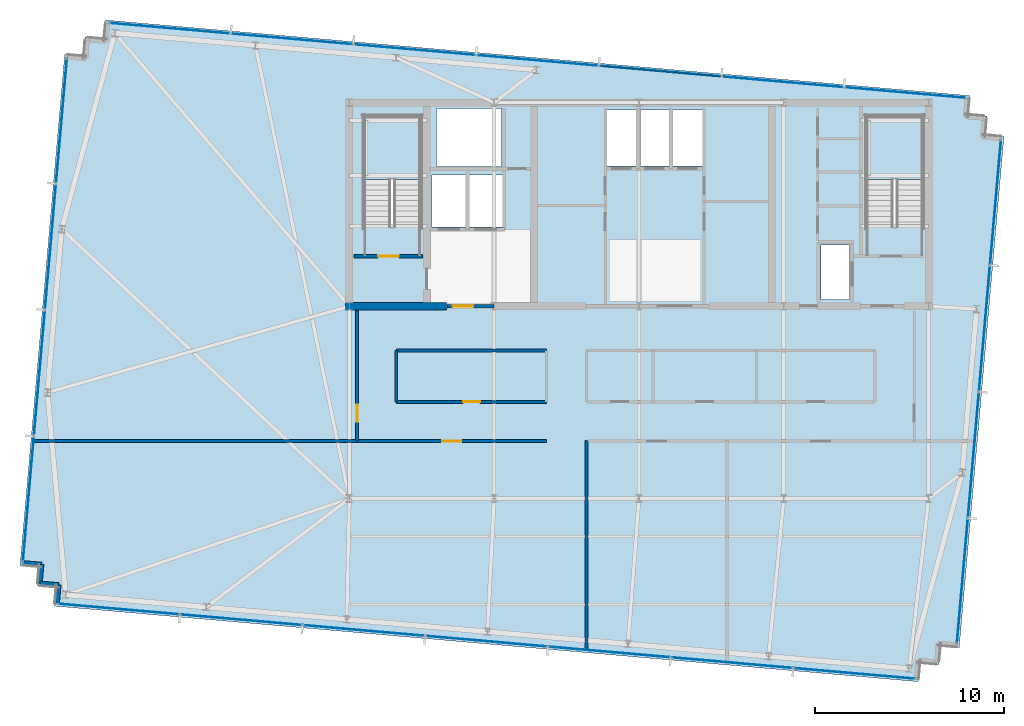
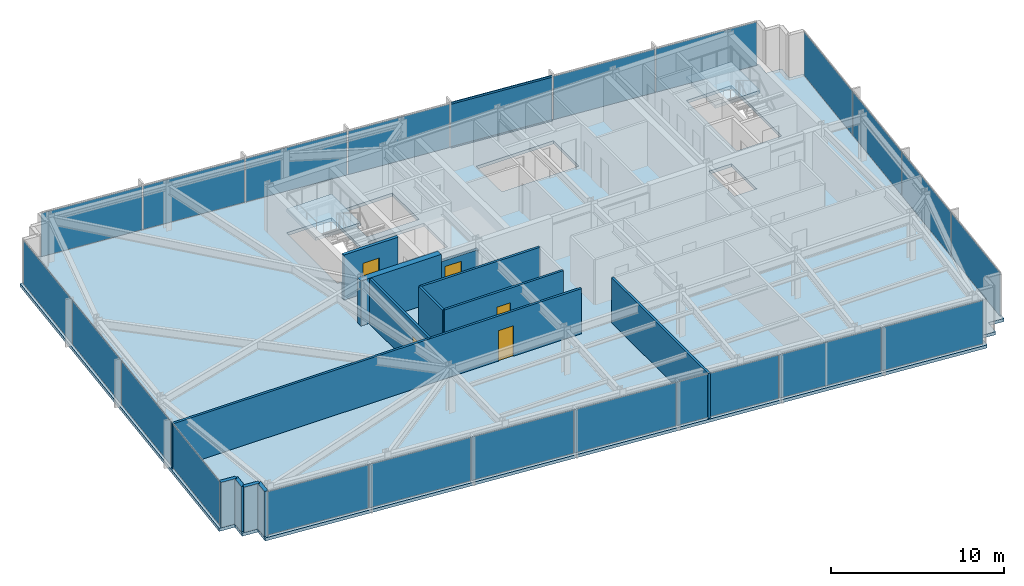
# One storey, part 26 of 32: 22 plates, 13 walls, 5 doors, 3 slabs, 2 members, 5 openings, 6 elements without a shape of their own.
"""IFC4 building model written with IfcOpenShell, lengths in metres."""

from ifc_helpers import new_model, si_unit, direction, frame, frame_2d, origin, origin_2d, place, context, subcontext, project, spatial, polyline, rectangle, hollow_rectangle, outline, extrude, material, layer, layer_set, material_profile, profile_set, type_object, element, fill, aggregate, save


model = new_model("IFC4")

# Units and contexts
model_context = context("Model", 3, precision=1e-05, world=origin(), true_north=direction((0.0, 1.0)))
body_context = subcontext(model_context, "Body", "Model", "MODEL_VIEW")
ifc_project = project(units=[si_unit("LENGTHUNIT", "METRE"), si_unit("AREAUNIT", "SQUARE_METRE"), si_unit("VOLUMEUNIT", "CUBIC_METRE"), si_unit("PLANEANGLEUNIT", "RADIAN"), si_unit("MASSUNIT", "GRAM", prefix="KILO")], contexts=[model_context])

# Site, building, storey
site_placement = place(None, origin())
site = spatial("IfcSite", under=ifc_project, at=site_placement, CompositionType="ELEMENT")
building_placement = place(site_placement, origin())
building = spatial("IfcBuilding", under=site, at=building_placement, Name="Yelkora Congress Tower", CompositionType="ELEMENT")
storey_placement = place(building_placement, frame((0.0, 0.0, 265.89990234375)))
storey = spatial("IfcBuildingStorey", under=building, at=storey_placement, Name="L74", CompositionType="ELEMENT", Elevation=265.89990234375)

# Curtain wall, members
ifc_material_1 = material(Name="Anodised aluminium and insulated glass", Category="aluminium")
curtain_wall_type = type_object("IfcCurtainWallType", Name="CW-SYS-B5", PredefinedType="NOTDEFINED", material=ifc_material_1)
curtain_wall_1_placement = place(storey_placement, origin())
curtain_wall_1 = element("IfcCurtainWall", 1, at=curtain_wall_1_placement, inside=storey, type_object=curtain_wall_type, Name="L74 Unitised Curtain Wall 10", PredefinedType="NOTDEFINED")
ifc_material_2 = material(Name="Anodised aluminium 6063-T6", Category="aluminium")
ifc_material_profile = material_profile(ifc_material_2, hollow_rectangle(XDim=0.06005859375, YDim=0.1298828125, WallThickness=0.00390625, at=origin_2d()), Name="ALU 60x130x4")
ifc_profile_set = profile_set([ifc_material_profile], Name="Anodised aluminium 6063-T6")
member_type = type_object("IfcMemberType", Name="MEM-TR-B5", PredefinedType="USERDEFINED", material=ifc_profile_set)
member_1_placement = place(storey_placement, frame((36.298583984375, 48.14794921875, 0.030029296875), z_axis=(0.996192979814, -0.08717538052, 0.0), x_axis=(0.08717538052, 0.996192979814, 0.0)))
member_1 = element("IfcMember", 2, at=member_1_placement, type_object=member_type, Name="CW-B5 transom 5.1", ObjectType="TRANSOM", PredefinedType="USERDEFINED", context=body_context, shape_type="SweptSolid", body=[
    extrude(hollow_rectangle(XDim=0.06005859375, YDim=0.1298828125, WallThickness=0.00390625, at=origin_2d()), origin(), (0.0, 0.0, 1.0), 6.466552734375),
])
member_2_placement = place(storey_placement, frame((36.298583984375, 48.14794921875, 3.150146484375), z_axis=(0.996192979814, -0.08717538052, 0.0), x_axis=(0.08717538052, 0.996192979814, 0.0)))
member_2 = element("IfcMember", 3, at=member_2_placement, type_object=member_type, Name="CW-B5 transom 5.2", ObjectType="TRANSOM", PredefinedType="USERDEFINED", context=body_context, shape_type="SweptSolid", body=[
    extrude(hollow_rectangle(XDim=0.06005859375, YDim=0.1298828125, WallThickness=0.00390625, at=origin_2d()), origin(), (0.0, 0.0, 1.0), 6.466552734375),
])

# Curtain wall, plates
curtain_wall_2_placement = place(storey_placement, origin())
curtain_wall_2 = element("IfcCurtainWall", 4, at=curtain_wall_2_placement, inside=storey, type_object=curtain_wall_type, Name="L74 Unitised Curtain Wall 5", PredefinedType="NOTDEFINED")
ifc_material_3 = material(Name="High-altitude triple glazed unit B5", Category="glass")
ifc_layer_1 = layer(ifc_material_3, 0.033935546875)
ifc_layer_set_1 = layer_set([ifc_layer_1], Name="High-altitude triple glazed unit B5")
plate_type = type_object("IfcPlateType", Name="PLT-PN-B5", PredefinedType="CURTAIN_PANEL", material=ifc_layer_set_1)
plate_1_placement = place(storey_placement, frame((6.021728515625, 25.16064453125, 0.06005859375), z_axis=(0.0, 0.0, 1.0), x_axis=(0.08715473876, 0.996194785929, 0.0)))
plate_1 = element("IfcPlate", 5, at=plate_1_placement, type_object=plate_type, Name="CW-B5 panel 1.1", PredefinedType="CURTAIN_PANEL", context=body_context, shape_type="SweptSolid", body=[
    extrude(rectangle(XDim=6.632568359375, YDim=0.033935546875, at=origin_2d()), origin(), (0.0, 0.0, 1.0), 3.06005859375),
])
plate_2_placement = place(storey_placement, frame((6.60693359375, 31.848876953125, 0.06005859375), z_axis=(0.0, 0.0, 1.0), x_axis=(0.08715473876, 0.996194785929, 0.0)))
plate_2 = element("IfcPlate", 6, at=plate_2_placement, type_object=plate_type, Name="CW-B5 panel 2.1", PredefinedType="CURTAIN_PANEL", context=body_context, shape_type="SweptSolid", body=[
    extrude(rectangle(XDim=6.6650390625, YDim=0.033935546875, at=origin_2d()), origin(), (0.0, 0.0, 1.0), 3.06005859375),
])
plate_3_placement = place(storey_placement, frame((7.193359375, 38.55322265625, 0.06005859375), z_axis=(0.0, 0.0, 1.0), x_axis=(0.08715473876, 0.996194785929, 0.0)))
plate_3 = element("IfcPlate", 7, at=plate_3_placement, type_object=plate_type, Name="CW-B5 panel 3.1", PredefinedType="CURTAIN_PANEL", context=body_context, shape_type="SweptSolid", body=[
    extrude(rectangle(XDim=6.6650390625, YDim=0.033935546875, at=origin_2d()), origin(), (0.0, 0.0, 1.0), 3.06005859375),
])
plate_4_placement = place(storey_placement, frame((7.778564453125, 45.2412109375, 0.06005859375), z_axis=(0.0, 0.0, 1.0), x_axis=(0.08715473876, 0.996194785929, 0.0)))
plate_4 = element("IfcPlate", 8, at=plate_4_placement, type_object=plate_type, Name="CW-B5 panel 4.1", PredefinedType="CURTAIN_PANEL", context=body_context, shape_type="SweptSolid", body=[
    extrude(rectangle(XDim=6.632568359375, YDim=0.033935546875, at=origin_2d()), origin(), (0.0, 0.0, 1.0), 3.06005859375),
])
aggregate(curtain_wall_2, [plate_1, plate_2, plate_3, plate_4])

# Plate
plate_5_placement = place(storey_placement, frame((13.509521484375, 50.141845703125, 0.06005859375), z_axis=(0.0, 0.0, 1.0), x_axis=(0.996194619601, -0.087156639893, 0.0)))
plate_5 = element("IfcPlate", 9, at=plate_5_placement, type_object=plate_type, Name="CW-B5 panel 1.1", PredefinedType="CURTAIN_PANEL", context=body_context, shape_type="SweptSolid", body=[
    extrude(rectangle(XDim=6.433837890625, YDim=0.033935546875, at=origin_2d()), origin(), (0.0, 0.0, 1.0), 3.06005859375),
])

plate_6_placement = place(storey_placement, frame((19.999755859375, 49.573974609375, 0.06005859375), z_axis=(0.0, 0.0, 1.0), x_axis=(0.996194619601, -0.087156639893, 0.0)))
plate_6 = element("IfcPlate", 10, at=plate_6_placement, type_object=plate_type, Name="CW-B5 panel 2.1", PredefinedType="CURTAIN_PANEL", context=body_context, shape_type="SweptSolid", body=[
    extrude(rectangle(XDim=6.46630859375, YDim=0.033935546875, at=origin_2d()), origin(), (0.0, 0.0, 1.0), 3.06005859375),
])

plate_7_placement = place(storey_placement, frame((26.50634765625, 49.004638671875, 0.06005859375), z_axis=(0.0, 0.0, 1.0), x_axis=(0.996194619601, -0.087156639893, 0.0)))
plate_7 = element("IfcPlate", 11, at=plate_7_placement, type_object=plate_type, Name="CW-B5 panel 3.1", PredefinedType="CURTAIN_PANEL", context=body_context, shape_type="SweptSolid", body=[
    extrude(rectangle(XDim=6.46630859375, YDim=0.033935546875, at=origin_2d()), origin(), (0.0, 0.0, 1.0), 3.06005859375),
])

plate_8_placement = place(storey_placement, frame((33.012939453125, 48.435302734375, 0.06005859375), z_axis=(0.0, 0.0, 1.0), x_axis=(0.996194619601, -0.087156639893, 0.0)))
plate_8 = element("IfcPlate", 12, at=plate_8_placement, type_object=plate_type, Name="CW-B5 panel 4.1", PredefinedType="CURTAIN_PANEL", context=body_context, shape_type="SweptSolid", body=[
    extrude(rectangle(XDim=6.46630859375, YDim=0.033935546875, at=origin_2d()), origin(), (0.0, 0.0, 1.0), 3.06005859375),
])

plate_9_placement = place(storey_placement, frame((39.51953125, 47.8662109375, 0.06005859375), z_axis=(0.0, 0.0, 1.0), x_axis=(0.996194619601, -0.087156639893, 0.0)))
plate_9 = element("IfcPlate", 13, at=plate_9_placement, type_object=plate_type, Name="CW-B5 panel 5.1", PredefinedType="CURTAIN_PANEL", context=body_context, shape_type="SweptSolid", body=[
    extrude(rectangle(XDim=6.46630859375, YDim=0.033935546875, at=origin_2d()), origin(), (0.0, 0.0, 1.0), 3.06005859375),
])

plate_10_placement = place(storey_placement, frame((46.026123046875, 47.296875, 0.06005859375), z_axis=(0.0, 0.0, 1.0), x_axis=(0.996194619601, -0.087156639893, 0.0)))
plate_10 = element("IfcPlate", 14, at=plate_10_placement, type_object=plate_type, Name="CW-B5 panel 6.1", PredefinedType="CURTAIN_PANEL", context=body_context, shape_type="SweptSolid", body=[
    extrude(rectangle(XDim=6.46630859375, YDim=0.033935546875, at=origin_2d()), origin(), (0.0, 0.0, 1.0), 3.06005859375),
])

plate_11_placement = place(storey_placement, frame((52.5166015625, 46.72900390625, 0.06005859375), z_axis=(0.0, 0.0, 1.0), x_axis=(0.996194619601, -0.087156639893, 0.0)))
plate_11 = element("IfcPlate", 15, at=plate_11_placement, type_object=plate_type, Name="CW-B5 panel 7.1", PredefinedType="CURTAIN_PANEL", context=body_context, shape_type="SweptSolid", body=[
    extrude(rectangle(XDim=6.433837890625, YDim=0.033935546875, at=origin_2d()), origin(), (0.0, 0.0, 1.0), 3.06005859375),
])

aggregate(curtain_wall_1, [plate_5, plate_6, plate_7, plate_8, member_1, member_2, plate_9, plate_10, plate_11])

# Curtain wall, plates
curtain_wall_3_placement = place(storey_placement, origin())
curtain_wall_3 = element("IfcCurtainWall", 16, at=curtain_wall_3_placement, inside=storey, type_object=curtain_wall_type, Name="L74 Unitised Curtain Wall 15", PredefinedType="NOTDEFINED")
plate_12_placement = place(storey_placement, frame((57.309326171875, 40.907958984375, 0.06005859375), z_axis=(0.0, 0.0, 1.0), x_axis=(-0.087158425264, -0.996194463398, 0.0)))
plate_12 = element("IfcPlate", 17, at=plate_12_placement, type_object=plate_type, Name="CW-B5 panel 1.1", PredefinedType="CURTAIN_PANEL", context=body_context, shape_type="SweptSolid", body=[
    extrude(rectangle(XDim=6.632568359375, YDim=0.033935546875, at=origin_2d()), origin(), (0.0, 0.0, 1.0), 3.06005859375),
])
plate_13_placement = place(storey_placement, frame((56.72412109375, 34.2197265625, 0.06005859375), z_axis=(0.0, 0.0, 1.0), x_axis=(-0.087158425264, -0.996194463398, 0.0)))
plate_13 = element("IfcPlate", 18, at=plate_13_placement, type_object=plate_type, Name="CW-B5 panel 2.1", PredefinedType="CURTAIN_PANEL", context=body_context, shape_type="SweptSolid", body=[
    extrude(rectangle(XDim=6.6650390625, YDim=0.033935546875, at=origin_2d()), origin(), (0.0, 0.0, 1.0), 3.06005859375),
])
plate_14_placement = place(storey_placement, frame((56.1376953125, 27.515380859375, 0.06005859375), z_axis=(0.0, 0.0, 1.0), x_axis=(-0.087158425264, -0.996194463398, 0.0)))
plate_14 = element("IfcPlate", 19, at=plate_14_placement, type_object=plate_type, Name="CW-B5 panel 3.1", PredefinedType="CURTAIN_PANEL", context=body_context, shape_type="SweptSolid", body=[
    extrude(rectangle(XDim=6.6650390625, YDim=0.033935546875, at=origin_2d()), origin(), (0.0, 0.0, 1.0), 3.06005859375),
])
plate_15_placement = place(storey_placement, frame((55.552490234375, 20.8271484375, 0.06005859375), z_axis=(0.0, 0.0, 1.0), x_axis=(-0.087158425264, -0.996194463398, 0.0)))
plate_15 = element("IfcPlate", 20, at=plate_15_placement, type_object=plate_type, Name="CW-B5 panel 4.1", PredefinedType="CURTAIN_PANEL", context=body_context, shape_type="SweptSolid", body=[
    extrude(rectangle(XDim=6.632568359375, YDim=0.033935546875, at=origin_2d()), origin(), (0.0, 0.0, 1.0), 3.06005859375),
])
aggregate(curtain_wall_3, [plate_12, plate_13, plate_14, plate_15])

curtain_wall_4_placement = place(storey_placement, origin())
curtain_wall_4 = element("IfcCurtainWall", 21, at=curtain_wall_4_placement, inside=storey, type_object=curtain_wall_type, Name="L74 Unitised Curtain Wall 20", PredefinedType="NOTDEFINED")
plate_16_placement = place(storey_placement, frame((49.821533203125, 15.9267578125, 0.06005859375), z_axis=(0.0, 0.0, 1.0), x_axis=(-0.996194602987, 0.087156829793, 0.0)))
plate_16 = element("IfcPlate", 22, at=plate_16_placement, type_object=plate_type, Name="CW-B5 panel 1.1", PredefinedType="CURTAIN_PANEL", context=body_context, shape_type="SweptSolid", body=[
    extrude(rectangle(XDim=6.433837890625, YDim=0.033935546875, at=origin_2d()), origin(), (0.0, 0.0, 1.0), 3.06005859375),
])
plate_17_placement = place(storey_placement, frame((43.331298828125, 16.49462890625, 0.06005859375), z_axis=(0.0, 0.0, 1.0), x_axis=(-0.996194602987, 0.087156829793, 0.0)))
plate_17 = element("IfcPlate", 23, at=plate_17_placement, type_object=plate_type, Name="CW-B5 panel 2.1", PredefinedType="CURTAIN_PANEL", context=body_context, shape_type="SweptSolid", body=[
    extrude(rectangle(XDim=6.46630859375, YDim=0.033935546875, at=origin_2d()), origin(), (0.0, 0.0, 1.0), 3.06005859375),
])
plate_18_placement = place(storey_placement, frame((36.82470703125, 17.06396484375, 0.06005859375), z_axis=(0.0, 0.0, 1.0), x_axis=(-0.996194602987, 0.087156829793, 0.0)))
plate_18 = element("IfcPlate", 24, at=plate_18_placement, type_object=plate_type, Name="CW-B5 panel 3.1", PredefinedType="CURTAIN_PANEL", context=body_context, shape_type="SweptSolid", body=[
    extrude(rectangle(XDim=6.46630859375, YDim=0.033935546875, at=origin_2d()), origin(), (0.0, 0.0, 1.0), 3.06005859375),
])
plate_19_placement = place(storey_placement, frame((30.318115234375, 17.633056640625, 0.06005859375), z_axis=(0.0, 0.0, 1.0), x_axis=(-0.996194602987, 0.087156829793, 0.0)))
plate_19 = element("IfcPlate", 25, at=plate_19_placement, type_object=plate_type, Name="CW-B5 panel 4.1", PredefinedType="CURTAIN_PANEL", context=body_context, shape_type="SweptSolid", body=[
    extrude(rectangle(XDim=6.46630859375, YDim=0.033935546875, at=origin_2d()), origin(), (0.0, 0.0, 1.0), 3.06005859375),
])
plate_20_placement = place(storey_placement, frame((23.8115234375, 18.202392578125, 0.06005859375), z_axis=(0.0, 0.0, 1.0), x_axis=(-0.996194602987, 0.087156829793, 0.0)))
plate_20 = element("IfcPlate", 26, at=plate_20_placement, type_object=plate_type, Name="CW-B5 panel 5.1", PredefinedType="CURTAIN_PANEL", context=body_context, shape_type="SweptSolid", body=[
    extrude(rectangle(XDim=6.46630859375, YDim=0.033935546875, at=origin_2d()), origin(), (0.0, 0.0, 1.0), 3.06005859375),
])
plate_21_placement = place(storey_placement, frame((17.304931640625, 18.771728515625, 0.06005859375), z_axis=(0.0, 0.0, 1.0), x_axis=(-0.996194602987, 0.087156829793, 0.0)))
plate_21 = element("IfcPlate", 27, at=plate_21_placement, type_object=plate_type, Name="CW-B5 panel 6.1", PredefinedType="CURTAIN_PANEL", context=body_context, shape_type="SweptSolid", body=[
    extrude(rectangle(XDim=6.46630859375, YDim=0.033935546875, at=origin_2d()), origin(), (0.0, 0.0, 1.0), 3.06005859375),
])
plate_22_placement = place(storey_placement, frame((10.814697265625, 19.33935546875, 0.06005859375), z_axis=(0.0, 0.0, 1.0), x_axis=(-0.996194602987, 0.087156829793, 0.0)))
plate_22 = element("IfcPlate", 28, at=plate_22_placement, type_object=plate_type, Name="CW-B5 panel 7.1", PredefinedType="CURTAIN_PANEL", context=body_context, shape_type="SweptSolid", body=[
    extrude(rectangle(XDim=6.433837890625, YDim=0.033935546875, at=origin_2d()), origin(), (0.0, 0.0, 1.0), 3.06005859375),
])
aggregate(curtain_wall_4, [plate_16, plate_17, plate_18, plate_19, plate_20, plate_21, plate_22])

# Stair, slab
ifc_material_4 = material(Name="Concrete C40/50", Category="concrete")
stair_type = type_object("IfcStairType", Name="STAIR-HT-1420-R20-170", PredefinedType="HALF_TURN_STAIR", material=ifc_material_4)
stair_1_placement = place(storey_placement, origin())
stair_1 = element("IfcStair", 29, at=stair_1_placement, inside=storey, type_object=stair_type, Name="West Core Protected Exit Stair ST-01 (L74)", PredefinedType="HALF_TURN_STAIR")
ifc_layer_2 = layer(ifc_material_4, 0.219970703125)
ifc_layer_set_2 = layer_set([ifc_layer_2], Name="Concrete C40/50")
slab_type_1 = type_object("IfcSlabType", Name="SLAB-LANDING-220", PredefinedType="LANDING", material=ifc_layer_set_2)
slab_1_placement = place(storey_placement, frame((0.0, 0.0, 1.47998046875)))
slab_1 = element("IfcSlab", 30, at=slab_1_placement, type_object=slab_type_1, Name="ST-01 L74 Half Landing 1", PredefinedType="LANDING", context=body_context, shape_type="SweptSolid", body=[
    extrude(outline(polyline([(26.820068359375, 42.1201171875), (26.820068359375, 45.469970703125), (23.820068359375, 45.469970703125), (23.820068359375, 42.1201171875), (26.820068359375, 42.1201171875)])), origin(), (0.0, 0.0, 1.0), 0.22021484375),
])
aggregate(stair_1, [slab_1])

stair_2_placement = place(storey_placement, origin())
stair_2 = element("IfcStair", 31, at=stair_2_placement, inside=storey, type_object=stair_type, Name="East Core Protected Exit Stair ST-02 (L74)", PredefinedType="HALF_TURN_STAIR")
slab_2_placement = place(storey_placement, frame((0.0, 0.0, 1.47998046875)))
slab_2 = element("IfcSlab", 32, at=slab_2_placement, type_object=slab_type_1, Name="ST-02 L74 Half Landing 1", PredefinedType="LANDING", context=body_context, shape_type="SweptSolid", body=[
    extrude(outline(polyline([(53.4599609375, 42.1201171875), (53.4599609375, 45.469970703125), (50.4599609375, 45.469970703125), (50.4599609375, 42.1201171875), (53.4599609375, 42.1201171875)])), origin(), (0.0, 0.0, 1.0), 0.22021484375),
])
aggregate(stair_2, [slab_2])

# Slab
ifc_layer_3 = layer(ifc_material_4, 0.219970703125)
ifc_layer_set_3 = layer_set([ifc_layer_3], Name="Concrete C40/50")
slab_type_2 = type_object("IfcSlabType", Name="SLAB-TWR-220", PredefinedType="FLOOR", material=ifc_layer_set_3)
slab_3_placement = place(storey_placement, frame((0.0, 0.0, -0.219970703125)))
element("IfcSlab", 33, at=slab_3_placement, inside=storey, type_object=slab_type_2, Name="L74 Structural Floor Slab", PredefinedType="FLOOR", context=body_context, shape_type="SweptSolid", body=[
    extrude(outline(polyline([(7.3935546875, 19.498291015625), (53.218505859375, 15.489013671875), (53.3056640625, 16.485107421875), (54.3017578125, 16.398193359375), (54.388916015625, 17.394287109375), (55.385009765625, 17.30712890625), (57.755859375, 44.403564453125), (56.759521484375, 44.49072265625), (56.8466796875, 45.487060546875), (55.8505859375, 45.57421875), (55.937744140625, 46.5703125), (10.11279296875, 50.57958984375), (10.025634765625, 49.583251953125), (9.029296875, 49.67041015625), (8.942138671875, 48.67431640625), (7.946044921875, 48.761474609375), (5.575439453125, 21.664794921875), (6.571533203125, 21.57763671875), (6.484619140625, 20.58154296875), (7.480712890625, 20.494384765625), (7.3935546875, 19.498291015625)]), holes=[polyline([(23.820068359375, 39.6298828125), (26.820068359375, 39.6298828125), (26.820068359375, 45.469970703125), (23.820068359375, 45.469970703125), (23.820068359375, 39.6298828125)]), polyline([(50.4599609375, 39.6298828125), (53.4599609375, 39.6298828125), (53.4599609375, 45.469970703125), (50.4599609375, 45.469970703125), (50.4599609375, 39.6298828125)]), polyline([(48.050048828125, 35.75), (49.550048828125, 35.75), (49.550048828125, 38.64990234375), (48.050048828125, 38.64990234375), (48.050048828125, 35.75)]), polyline([(36.64990234375, 42.85009765625), (41.800048828125, 42.85009765625), (41.800048828125, 45.800048828125), (36.64990234375, 45.800048828125), (36.64990234375, 42.85009765625)]), polyline([(27.419921875, 39.60009765625), (31.179931640625, 39.60009765625), (31.179931640625, 42.35009765625), (27.419921875, 42.35009765625), (27.419921875, 39.60009765625)]), polyline([(27.64990234375, 42.820068359375), (31.1201171875, 42.820068359375), (31.1201171875, 45.8798828125), (27.64990234375, 45.8798828125), (27.64990234375, 42.820068359375)])]), origin(), (0.0, 0.0, 1.0), 0.219970703125),
])

# Walls
ifc_material_5 = material(Name="Concrete C50/60", Category="concrete")
ifc_layer_4 = layer(ifc_material_5, 0.39990234375)
ifc_layer_set_4 = layer_set([ifc_layer_4], Name="Concrete C50/60")
wall_type_1 = type_object("IfcWallType", Name="WALL-CORE-INT-400", PredefinedType="SHEAR", material=ifc_layer_set_4)
wall_1_placement = place(storey_placement, frame((22.840087890625, 35.39990234375, 0.0), z_axis=(0.0, 0.0, 1.0), x_axis=(1.0, 0.0, 0.0)))
element("IfcWall", 34, at=wall_1_placement, inside=storey, type_object=wall_type_1, Name="L74 Rear Core South-West Shear Wall", PredefinedType="SHEAR", context=body_context, shape_type="SweptSolid", body=[
    extrude(rectangle(XDim=5.35986328125, YDim=0.39990234375, at=frame_2d((2.679931640625, 0.0))), origin(), (0.0, 0.0, 1.0), 3.18017578125),
])
ifc_layer_5 = layer(ifc_material_4, 0.239990234375)
ifc_layer_set_5 = layer_set([ifc_layer_5], Name="Concrete C40/50")
wall_type_2 = type_object("IfcWallType", Name="WALL-EXT-LIMESTONE-240", PredefinedType="SOLIDWALL", material=ifc_layer_set_5)
for number, where, z_axis, x_axis, name in (
    (35, (7.545166015625, 19.62548828125, 0.0), (0.0, 0.0, 1.0), (0.087166950281, 0.996193717496, 0.0), "L74 Serrated Corner Limestone Pier 1"),
    (36, (7.63232421875, 20.62158203125, 0.0), (0.0, 0.0, 1.0), (-0.996193717496, 0.087166950281, 0.0), "L74 Serrated Corner Limestone Pier 2"),
):
    element("IfcWall", number, at=place(storey_placement, frame(where, z_axis=z_axis, x_axis=x_axis)), inside=storey, type_object=wall_type_2, Name=name, PredefinedType="SOLIDWALL", context=body_context, shape_type="SweptSolid", body=[
        extrude(rectangle(XDim=1.0, YDim=0.239990234375, at=frame_2d((0.5, 0.0))), origin(), (0.0, 0.0, 1.0), 3.18017578125),
    ])
for number, where, z_axis, x_axis, name in (
    (37, (6.63623046875, 20.708740234375, 0.0), (0.0, 0.0, 1.0), (0.087145753297, 0.996195572005, 0.0), "L74 Serrated Corner Limestone Pier 3"),
    (38, (6.723388671875, 21.705078125, 0.0), (0.0, 0.0, 1.0), (-0.996195572005, 0.087145753297, 0.0), "L74 Serrated Corner Limestone Pier 4"),
):
    element("IfcWall", number, at=place(storey_placement, frame(where, z_axis=z_axis, x_axis=x_axis)), inside=storey, type_object=wall_type_2, Name=name, PredefinedType="SOLIDWALL", context=body_context, shape_type="SweptSolid", body=[
        extrude(rectangle(XDim=1.000244140625, YDim=0.239990234375, at=frame_2d((0.5, 0.0))), origin(), (0.0, 0.0, 1.0), 3.18017578125),
    ])
ifc_material_6 = material(Name="Acoustic metal-stud gypsum partition", Category="gypsum")
ifc_layer_6 = layer(ifc_material_6, 0.14990234375)
ifc_layer_set_6 = layer_set([ifc_layer_6], Name="Acoustic metal-stud gypsum partition")
wall_type_3 = type_object("IfcWallType", Name="WALL-INT-150-NR", PredefinedType="PARTITIONING", material=ifc_layer_set_6)
wall_2_placement = place(storey_placement, frame((35.6201171875, 17.10888671875, 0.0), z_axis=(0.0, 0.0, 1.0), x_axis=(0.0, 1.0, 0.0)))
element("IfcWall", 39, at=wall_2_placement, inside=storey, type_object=wall_type_3, Name="L74 Partition Wall 24", PredefinedType="PARTITIONING", context=body_context, shape_type="SweptSolid", body=[
    extrude(rectangle(XDim=11.1611328125, YDim=0.14990234375, at=frame_2d((5.58056640625, 0.0))), origin(), (0.0, 0.0, 1.0), 3.18017578125),
])

# Wall, opening, door
wall_3_placement = place(storey_placement, frame((6.231689453125, 28.25, 0.0), z_axis=(0.0, 0.0, 1.0), x_axis=(1.0, 0.0, 0.0)))
wall_3 = element("IfcWall", 40, at=wall_3_placement, inside=storey, type_object=wall_type_3, Name="L74 South Spine Wall West", PredefinedType="PARTITIONING", context=body_context, shape_type="SweptSolid", body=[
    extrude(rectangle(XDim=27.268310546875, YDim=0.14990234375, at=frame_2d((13.63427734375, 0.0))), origin(), (0.0, 0.0, 1.0), 3.18017578125),
])
opening_1_placement = place(wall_3_placement, frame((21.73828125, 0.0, 0.0)))
opening_1 = element("IfcOpeningElement", 41, at=opening_1_placement, cuts=wall_3, Name="Opening DR-100N", PredefinedType="OPENING", context=body_context, shape_type="SweptSolid", body=[
    extrude(rectangle(XDim=1.0, YDim=2.14990234375, at=frame_2d((0.5, 1.074951171875))), frame((0.0, 0.0849609375, 0.0), z_axis=(0.0, -1.0, 0.0), x_axis=(1.0, 0.0, 0.0)), (0.0, 0.0, 1.0), 0.169921875),
])
ifc_material_7 = material(Name="Solid-core Anatolian oak veneer door", Category="wood")
door_type_1 = type_object("IfcDoorType", Name="DOOR-INT-1000", OperationType="NOTDEFINED", PredefinedType="DOOR", material=ifc_material_7)
door_1_placement = place(opening_1_placement, origin())
door_1 = element("IfcDoor", 42, at=door_1_placement, inside=storey, type_object=door_type_1, Name="L74 Store Equipment Door", OperationType="SINGLE_SWING_LEFT", OverallHeight=2.14990234375, OverallWidth=1.0, PredefinedType="DOOR", context=body_context, shape_type="SweptSolid", body=[
    extrude(rectangle(XDim=1.0, YDim=2.14990234375, at=frame_2d((0.5, 1.074951171875))), frame((0.0, 0.02490234375, 0.0), z_axis=(0.0, -1.0, 0.0), x_axis=(1.0, 0.0, 0.0)), (0.0, 0.0, 1.0), 0.050048828125),
])
fill(opening_1, door_1)

wall_4_placement = place(storey_placement, frame((23.449951171875, 28.25, 0.0), z_axis=(0.0, 0.0, 1.0), x_axis=(0.0, 1.0, 0.0)))
wall_4 = element("IfcWall", 43, at=wall_4_placement, inside=storey, type_object=wall_type_3, Name="L74 Partition Wall 28", PredefinedType="PARTITIONING", context=body_context, shape_type="SweptSolid", body=[
    extrude(rectangle(XDim=6.889892578125, YDim=0.14990234375, at=frame_2d((3.44482421875, 0.0))), origin(), (0.0, 0.0, 1.0), 3.18017578125),
])
opening_2_placement = place(wall_4_placement, frame((1.030029296875, 0.0, 0.0)))
opening_2 = element("IfcOpeningElement", 44, at=opening_2_placement, cuts=wall_4, Name="Opening DR-090N", PredefinedType="OPENING", context=body_context, shape_type="SweptSolid", body=[
    extrude(rectangle(XDim=0.89990234375, YDim=2.14990234375, at=frame_2d((0.449951171875, 1.074951171875))), frame((0.0, 0.0849609375, 0.0), z_axis=(0.0, -1.0, 0.0), x_axis=(1.0, 0.0, 0.0)), (0.0, 0.0, 1.0), 0.169921875),
])
ifc_material_8 = material(Name="Moisture-resistant laminate door leaf", Category="wood")
door_type_2 = type_object("IfcDoorType", Name="DOOR-INT-900", OperationType="NOTDEFINED", PredefinedType="DOOR", material=ifc_material_8)
door_2_placement = place(opening_2_placement, origin())
door_2 = element("IfcDoor", 45, at=door_2_placement, inside=storey, type_object=door_type_2, Name="L74 W Wing Door", OperationType="SINGLE_SWING_RIGHT", OverallHeight=2.14990234375, OverallWidth=0.89990234375, PredefinedType="DOOR", context=body_context, shape_type="SweptSolid", body=[
    extrude(rectangle(XDim=0.89990234375, YDim=2.14990234375, at=frame_2d((0.449951171875, 1.074951171875))), frame((0.0, 0.02490234375, 0.0), z_axis=(0.0, -1.0, 0.0), x_axis=(1.0, 0.0, 0.0)), (0.0, 0.0, 1.0), 0.050048828125),
])
fill(opening_2, door_2)

# Walls
wall_5_placement = place(storey_placement, frame((25.530029296875, 30.330078125, 0.0), z_axis=(0.0, 0.0, 1.0), x_axis=(0.0, 1.0, 0.0)))
element("IfcWall", 46, at=wall_5_placement, inside=storey, type_object=wall_type_3, Name="L74 Partition Wall 30", PredefinedType="PARTITIONING", context=body_context, shape_type="SweptSolid", body=[
    extrude(rectangle(XDim=2.719970703125, YDim=0.14990234375, at=frame_2d((1.35986328125, 0.0))), origin(), (0.0, 0.0, 1.0), 3.18017578125),
])
wall_6_placement = place(storey_placement, frame((25.530029296875, 33.050048828125, 0.0), z_axis=(0.0, 0.0, 1.0), x_axis=(1.0, 0.0, 0.0)))
element("IfcWall", 47, at=wall_6_placement, inside=storey, type_object=wall_type_3, Name="L74 Partition Wall 34", PredefinedType="PARTITIONING", context=body_context, shape_type="SweptSolid", body=[
    extrude(rectangle(XDim=7.969970703125, YDim=0.14990234375, at=frame_2d((3.98486328125, 0.0))), origin(), (0.0, 0.0, 1.0), 3.18017578125),
])

# Wall, opening, door
wall_7_placement = place(storey_placement, frame((25.550048828125, 30.330078125, 0.0), z_axis=(0.0, 0.0, 1.0), x_axis=(1.0, 0.0, 0.0)))
wall_7 = element("IfcWall", 48, at=wall_7_placement, inside=storey, type_object=wall_type_3, Name="L74 Partition Wall 36", PredefinedType="PARTITIONING", context=body_context, shape_type="SweptSolid", body=[
    extrude(rectangle(XDim=7.93994140625, YDim=0.14990234375, at=frame_2d((3.969970703125, 0.0))), origin(), (0.0, 0.0, 1.0), 3.18017578125),
])
opening_3_placement = place(wall_7_placement, frame((3.52001953125, 0.0, 0.0)))
opening_3 = element("IfcOpeningElement", 49, at=opening_3_placement, cuts=wall_7, Name="Opening DR-090N", PredefinedType="OPENING", context=body_context, shape_type="SweptSolid", body=[
    extrude(rectangle(XDim=0.89990234375, YDim=2.14990234375, at=frame_2d((0.449951171875, 1.074951171875))), frame((0.0, 0.0849609375, 0.0), z_axis=(0.0, -1.0, 0.0), x_axis=(1.0, 0.0, 0.0)), (0.0, 0.0, 1.0), 0.169921875),
])
door_3_placement = place(opening_3_placement, origin())
door_3 = element("IfcDoor", 50, at=door_3_placement, inside=storey, type_object=door_type_2, Name="L74 Executive Boardroom Door", OperationType="SINGLE_SWING_RIGHT", OverallHeight=2.14990234375, OverallWidth=0.89990234375, PredefinedType="DOOR", context=body_context, shape_type="SweptSolid", body=[
    extrude(rectangle(XDim=0.89990234375, YDim=2.14990234375, at=frame_2d((0.449951171875, 1.074951171875))), frame((0.0, 0.02490234375, 0.0), z_axis=(0.0, -1.0, 0.0), x_axis=(1.0, 0.0, 0.0)), (0.0, 0.0, 1.0), 0.050048828125),
])
fill(opening_3, door_3)

ifc_material_9 = material(Name="Autoclaved aerated concrete blockwork", Category="masonry")
ifc_layer_7 = layer(ifc_material_9, 0.199951171875)
ifc_layer_set_7 = layer_set([ifc_layer_7], Name="Autoclaved aerated concrete blockwork")
wall_type_4 = type_object("IfcWallType", Name="WALL-INT-200-R120", PredefinedType="PARTITIONING", material=ifc_layer_set_7)
wall_8_placement = place(storey_placement, frame((23.300048828125, 38.050048828125, 0.0), z_axis=(0.0, 0.0, 1.0), x_axis=(1.0, 0.0, 0.0)))
wall_8 = element("IfcWall", 51, at=wall_8_placement, inside=storey, type_object=wall_type_4, Name="L74 Stair ST-01 Enclosure Wall", PredefinedType="PARTITIONING", context=body_context, shape_type="SweptSolid", body=[
    extrude(rectangle(XDim=3.619873046875, YDim=0.199951171875, at=frame_2d((1.81005859375, 0.0))), origin(), (0.0, 0.0, 1.0), 3.18017578125),
])
opening_4_placement = place(wall_8_placement, frame((1.260009765625, 0.0, 0.0)))
opening_4 = element("IfcOpeningElement", 52, at=opening_4_placement, cuts=wall_8, Name="Opening DR-110F9", PredefinedType="OPENING", context=body_context, shape_type="SweptSolid", body=[
    extrude(rectangle(XDim=1.10009765625, YDim=2.14990234375, at=frame_2d((0.550048828125, 1.074951171875))), frame((0.0, 0.10986328125, 0.0), z_axis=(0.0, -1.0, 0.0), x_axis=(1.0, 0.0, 0.0)), (0.0, 0.0, 1.0), 0.219970703125),
])
ifc_material_10 = material(Name="Galvanised steel fire door leaf", Category="steel")
door_type_3 = type_object("IfcDoorType", Name="DOOR-FD90-1100", OperationType="NOTDEFINED", PredefinedType="DOOR", material=ifc_material_10)
door_4_placement = place(opening_4_placement, origin())
door_4 = element("IfcDoor", 53, at=door_4_placement, inside=storey, type_object=door_type_3, Name="L74 Stair ST-01 Entry Door", OperationType="SINGLE_SWING_LEFT", OverallHeight=2.14990234375, OverallWidth=1.10009765625, PredefinedType="DOOR", context=body_context, shape_type="SweptSolid", body=[
    extrude(rectangle(XDim=1.10009765625, YDim=2.14990234375, at=frame_2d((0.550048828125, 1.074951171875))), frame((0.0, 0.02490234375, 0.0), z_axis=(0.0, -1.0, 0.0), x_axis=(1.0, 0.0, 0.0)), (0.0, 0.0, 1.0), 0.050048828125),
])
fill(opening_4, door_4)

wall_9_placement = place(storey_placement, frame((28.219970703125, 35.39990234375, 0.0), z_axis=(0.0, 0.0, 1.0), x_axis=(1.0, 0.0, 0.0)))
wall_9 = element("IfcWall", 54, at=wall_9_placement, inside=storey, type_object=wall_type_4, Name="L74 Firefighting Lobby South Wall", PredefinedType="PARTITIONING", context=body_context, shape_type="SweptSolid", body=[
    extrude(rectangle(XDim=2.5, YDim=0.199951171875, at=frame_2d((1.25, 0.0))), origin(), (0.0, 0.0, 1.0), 2.5751953125),
])
opening_5_placement = place(wall_9_placement, frame((0.300048828125, 0.0, 0.0)))
opening_5 = element("IfcOpeningElement", 55, at=opening_5_placement, cuts=wall_9, Name="Opening DR-110F9", PredefinedType="OPENING", context=body_context, shape_type="SweptSolid", body=[
    extrude(rectangle(XDim=1.10009765625, YDim=2.14990234375, at=frame_2d((0.550048828125, 1.074951171875))), frame((0.0, 0.10986328125, 0.0), z_axis=(0.0, -1.0, 0.0), x_axis=(1.0, 0.0, 0.0)), (0.0, 0.0, 1.0), 0.219970703125),
])
door_5_placement = place(opening_5_placement, origin())
door_5 = element("IfcDoor", 56, at=door_5_placement, inside=storey, type_object=door_type_3, Name="L74 Firefighting Lobby Corridor Door", OperationType="SINGLE_SWING_RIGHT", OverallHeight=2.14990234375, OverallWidth=1.10009765625, PredefinedType="DOOR", context=body_context, shape_type="SweptSolid", body=[
    extrude(rectangle(XDim=1.10009765625, YDim=2.14990234375, at=frame_2d((0.550048828125, 1.074951171875))), frame((0.0, 0.02490234375, 0.0), z_axis=(0.0, -1.0, 0.0), x_axis=(1.0, 0.0, 0.0)), (0.0, 0.0, 1.0), 0.050048828125),
])
fill(opening_5, door_5)

save(model, "model.ifc")
